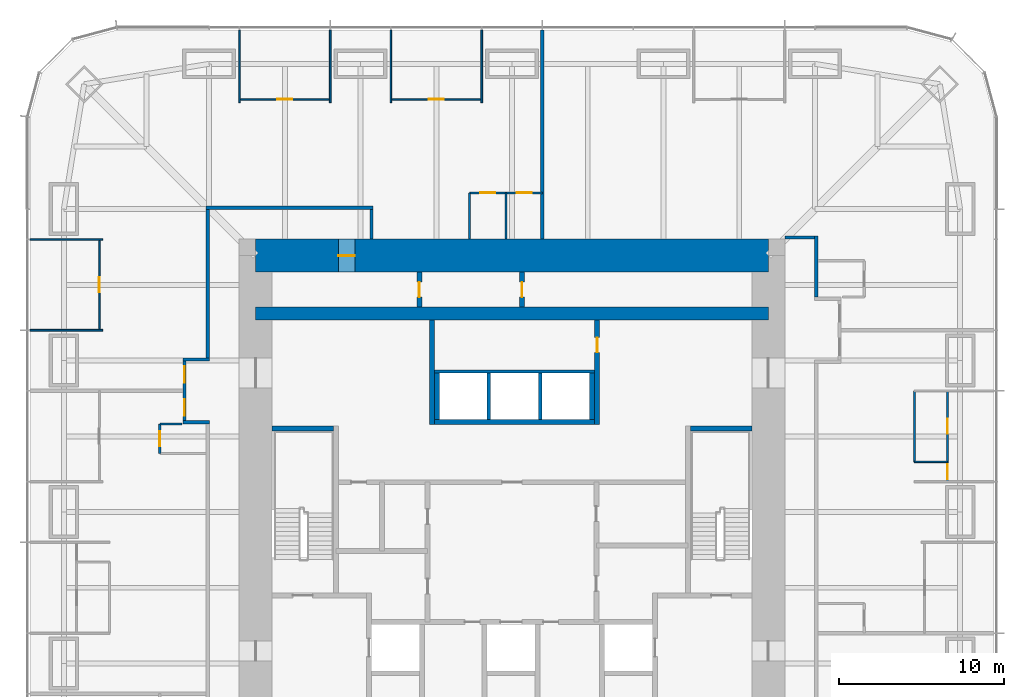
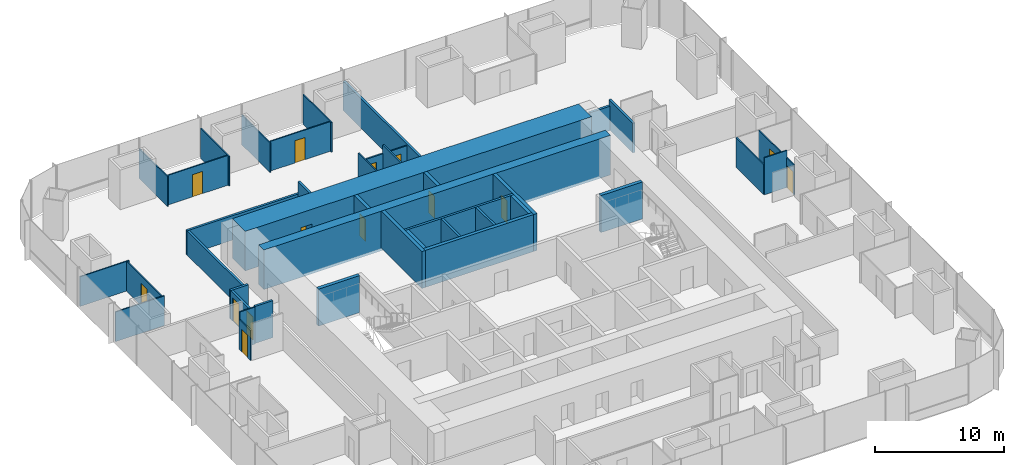
# One storey, part 11 of 13: 40 walls, 14 doors, 14 openings.
"""IFC4 building model written with IfcOpenShell, lengths in metres."""

from ifc_helpers import new_model, si_unit, direction, frame, frame_2d, origin, place, context, subcontext, project, spatial, rectangle, extrude, material, layer, layer_set, type_object, element, fill, save


model = new_model("IFC4")

# Units and contexts
model_context = context("Model", 3, precision=1e-05, world=origin(), true_north=direction((0.0, 1.0)))
body_context = subcontext(model_context, "Body", "Model", "MODEL_VIEW")
ifc_project = project(units=[si_unit("LENGTHUNIT", "METRE"), si_unit("AREAUNIT", "SQUARE_METRE"), si_unit("VOLUMEUNIT", "CUBIC_METRE"), si_unit("PLANEANGLEUNIT", "RADIAN"), si_unit("MASSUNIT", "GRAM", prefix="KILO")], contexts=[model_context])

# Site, building, storey
site_placement = place(None, origin())
site = spatial("IfcSite", under=ifc_project, at=site_placement, CompositionType="ELEMENT")
building_placement = place(site_placement, origin())
building = spatial("IfcBuilding", under=site, at=building_placement, Name="Khuree Lantern Residences", CompositionType="ELEMENT")
storey_placement = place(building_placement, frame((0.0, 0.0, 118.5)))
storey = spatial("IfcBuildingStorey", under=building, at=storey_placement, Name="L29", CompositionType="ELEMENT", Elevation=118.5)

# Wall
ifc_material_1 = material(Name="Moisture-resistant gypsum board on steel studs", Category="steel")
ifc_layer_1 = layer(ifc_material_1, 0.125)
ifc_layer_set_1 = layer_set([ifc_layer_1], Name="BATHROOM WALL BTW125")
wall_type_1 = type_object("IfcWallType", Name="BATHROOM WALL BTW125", PredefinedType="PARTITIONING", material=ifc_layer_set_1)
wall_1_placement = place(storey_placement, frame((24.329833984375, 3.031982421875, 0.0), z_axis=(0.0, 0.0, 1.0), x_axis=(0.0, 1.0, 0.0)))
element("IfcWall", 1, at=wall_1_placement, inside=storey, type_object=wall_type_1, Name="L29 BATHROOM WALL 01", PredefinedType="PARTITIONING", context=body_context, shape_type="SweptSolid", body=[
    extrude(rectangle(XDim=4.2958984375, YDim=0.125, at=frame_2d((2.14794921875, 0.0))), origin(), (0.0, 0.0, 1.0), 2.81005859375),
])

# Wall, openings, doors
wall_2_placement = place(storey_placement, frame((1.83203125, 19.300048828125, 0.0), z_axis=(0.0, 0.0, 1.0), x_axis=(-1.0, 0.0, 0.0)))
wall_2 = element("IfcWall", 2, at=wall_2_placement, inside=storey, type_object=wall_type_1, Name="L29 BATHROOM WALL 03", PredefinedType="PARTITIONING", context=body_context, shape_type="SweptSolid", body=[
    extrude(rectangle(XDim=4.400146484375, YDim=0.125, at=frame_2d((2.2001953125, 0.0))), origin(), (0.0, 0.0, 1.0), 2.699951171875),
])
opening_1_placement = place(wall_2_placement, frame((0.64990234375, 0.0, 0.0)))
opening_1 = element("IfcOpeningElement", 3, at=opening_1_placement, cuts=wall_2, Name="Opening 29-036", PredefinedType="OPENING", context=body_context, shape_type="SweptSolid", body=[
    extrude(rectangle(XDim=0.89990234375, YDim=2.10009765625, at=frame_2d((0.449951171875, 1.050048828125))), frame((0.0, 0.072509765625, 0.0), z_axis=(0.0, -1.0, 0.0), x_axis=(1.0, 0.0, 0.0)), (0.0, 0.0, 1.0), 0.14501953125),
])
opening_2_placement = place(wall_2_placement, frame((2.85009765625, 0.0, 0.0)))
opening_2 = element("IfcOpeningElement", 4, at=opening_2_placement, cuts=wall_2, Name="Opening 29-037", PredefinedType="OPENING", context=body_context, shape_type="SweptSolid", body=[
    extrude(rectangle(XDim=0.89990234375, YDim=2.10009765625, at=frame_2d((0.449951171875, 1.050048828125))), frame((0.0, 0.072509765625, 0.0), z_axis=(0.0, -1.0, 0.0), x_axis=(1.0, 0.0, 0.0)), (0.0, 0.0, 1.0), 0.14501953125),
])
ifc_material_2 = material(Name="Timber door leaf in hardwood frame", Category="wood")
door_type_1 = type_object("IfcDoorType", Name="BATHROOM DOOR 900X2100", OperationType="SINGLE_SWING_LEFT", PredefinedType="DOOR", material=ifc_material_2)
door_1_placement = place(opening_1_placement, origin())
door_1 = element("IfcDoor", 5, at=door_1_placement, inside=storey, type_object=door_type_1, Name="Bathroom door 29-036", OperationType="SINGLE_SWING_LEFT", OverallHeight=2.10009765625, OverallWidth=0.89990234375, PredefinedType="DOOR", context=body_context, shape_type="SweptSolid", body=[
    extrude(rectangle(XDim=0.89990234375, YDim=2.10009765625, at=frame_2d((0.449951171875, 1.050048828125))), frame((0.0, 0.02490234375, 0.0), z_axis=(0.0, -1.0, 0.0), x_axis=(1.0, 0.0, 0.0)), (0.0, 0.0, 1.0), 0.050048828125),
])
fill(opening_1, door_1)
door_2_placement = place(opening_2_placement, origin())
door_2 = element("IfcDoor", 6, at=door_2_placement, inside=storey, type_object=door_type_1, Name="Bathroom door 29-037", OperationType="SINGLE_SWING_LEFT", OverallHeight=2.10009765625, OverallWidth=0.89990234375, PredefinedType="DOOR", context=body_context, shape_type="SweptSolid", body=[
    extrude(rectangle(XDim=0.89990234375, YDim=2.10009765625, at=frame_2d((0.449951171875, 1.050048828125))), frame((0.0, 0.02490234375, 0.0), z_axis=(0.0, -1.0, 0.0), x_axis=(1.0, 0.0, 0.0)), (0.0, 0.0, 1.0), 0.050048828125),
])
fill(opening_2, door_2)

# Walls
for number, where, z_axis, x_axis, name in (
    (7, (-0.367919921875, 16.5, 0.0), (0.0, 0.0, 1.0), (0.0, 1.0, 0.0), "L29 BATHROOM WALL 03"),
    (8, (-2.568115234375, 16.5, 0.0), (0.0, 0.0, 1.0), (0.0, 1.0, 0.0), "L29 BATHROOM WALL 03"),
):
    element("IfcWall", number, at=place(storey_placement, frame(where, z_axis=z_axis, x_axis=x_axis)), inside=storey, type_object=wall_type_1, Name=name, PredefinedType="PARTITIONING", context=body_context, shape_type="SweptSolid", body=[
        extrude(rectangle(XDim=2.800048828125, YDim=0.125, at=frame_2d((1.39990234375, 0.0))), origin(), (0.0, 0.0, 1.0), 3.5),
    ])

# Wall, opening, door
wall_3_placement = place(storey_placement, frame((-21.300048828125, 5.327880859375, 0.0), z_axis=(0.0, 0.0, 1.0), x_axis=(0.0, -1.0, 0.0)))
wall_3 = element("IfcWall", 9, at=wall_3_placement, inside=storey, type_object=wall_type_1, Name="L29 BATHROOM WALL 04", PredefinedType="PARTITIONING", context=body_context, shape_type="SweptSolid", body=[
    extrude(rectangle(XDim=1.7998046875, YDim=0.125, at=frame_2d((0.89990234375, 0.0))), origin(), (0.0, 0.0, 1.0), 2.81005859375),
])
opening_3_placement = place(wall_3_placement, frame((0.449951171875, 0.0, 0.0)))
opening_3 = element("IfcOpeningElement", 10, at=opening_3_placement, cuts=wall_3, Name="Opening 29-042", PredefinedType="OPENING", context=body_context, shape_type="SweptSolid", body=[
    extrude(rectangle(XDim=0.89990234375, YDim=2.10009765625, at=frame_2d((0.449951171875, 1.050048828125))), frame((0.0, 0.072509765625, 0.0), z_axis=(0.0, -1.0, 0.0), x_axis=(1.0, 0.0, 0.0)), (0.0, 0.0, 1.0), 0.14501953125),
])
door_3_placement = place(opening_3_placement, origin())
door_3 = element("IfcDoor", 11, at=door_3_placement, inside=storey, type_object=door_type_1, Name="Bathroom door 29-042", OperationType="SINGLE_SWING_LEFT", OverallHeight=2.10009765625, OverallWidth=0.89990234375, PredefinedType="DOOR", context=body_context, shape_type="SweptSolid", body=[
    extrude(rectangle(XDim=0.89990234375, YDim=2.10009765625, at=frame_2d((0.449951171875, 1.050048828125))), frame((0.0, 0.02490234375, 0.0), z_axis=(0.0, -1.0, 0.0), x_axis=(1.0, 0.0, 0.0)), (0.0, 0.0, 1.0), 0.050048828125),
])
fill(opening_3, door_3)

# Walls
wall_4_placement = place(storey_placement, frame((-19.969970703125, 5.327880859375, 0.0), z_axis=(0.0, 0.0, 1.0), x_axis=(-1.0, 0.0, 0.0)))
element("IfcWall", 12, at=wall_4_placement, inside=storey, type_object=wall_type_1, Name="L29 BATHROOM WALL 04", PredefinedType="PARTITIONING", context=body_context, shape_type="SweptSolid", body=[
    extrude(rectangle(XDim=1.330078125, YDim=0.125, at=frame_2d((0.6650390625, 0.0))), origin(), (0.0, 0.0, 1.0), 3.5),
])
ifc_material_3 = material(Name="Dense concrete blockwork", Category="masonry")
ifc_layer_2 = layer(ifc_material_3, 0.300048828125)
ifc_layer_set_2 = layer_set([ifc_layer_2], Name="CORE PARTITION WALL CPW300 EI 120")
wall_type_2 = type_object("IfcWallType", Name="CORE PARTITION WALL CPW300 EI 120", PredefinedType="PARTITIONING", material=ifc_layer_set_2)
wall_5_placement = place(storey_placement, frame((-4.699951171875, 5.449951171875, 0.0), z_axis=(0.0, 0.0, 1.0), x_axis=(1.0, 0.0, 0.0)))
element("IfcWall", 13, at=wall_5_placement, inside=storey, type_object=wall_type_2, Name="L29 CORE WALL PHS", PredefinedType="PARTITIONING", context=body_context, shape_type="SweptSolid", body=[
    extrude(rectangle(XDim=9.699951171875, YDim=0.300048828125, at=frame_2d((4.85009765625, 0.0))), origin(), (0.0, 0.0, 1.0), 3.5),
])
for number, where, z_axis, x_axis, name in (
    (14, (-4.550048828125, 5.60009765625, 0.0), (0.0, 0.0, 1.0), (0.0, 1.0, 0.0), "L29 CORE WALL PHW"),
    (15, (4.85009765625, 5.60009765625, 0.0), (0.0, 0.0, 1.0), (0.0, 1.0, 0.0), "L29 CORE WALL PHE"),
):
    element("IfcWall", number, at=place(storey_placement, frame(where, z_axis=z_axis, x_axis=x_axis)), inside=storey, type_object=wall_type_2, Name=name, PredefinedType="PARTITIONING", context=body_context, shape_type="SweptSolid", body=[
        extrude(rectangle(XDim=2.7998046875, YDim=0.300048828125, at=frame_2d((1.39990234375, 0.0))), origin(), (0.0, 0.0, 1.0), 3.5),
    ])
wall_6_placement = place(storey_placement, frame((-4.85009765625, 5.300048828125, 0.0), z_axis=(0.0, 0.0, 1.0), x_axis=(0.0, 1.0, 0.0)))
element("IfcWall", 16, at=wall_6_placement, inside=storey, type_object=wall_type_2, Name="L29 CORE WALL NW", PredefinedType="PARTITIONING", context=body_context, shape_type="SweptSolid", body=[
    extrude(rectangle(XDim=6.300048828125, YDim=0.300048828125, at=frame_2d((3.14990234375, 0.0))), origin(), (0.0, 0.0, 1.0), 3.5),
])

# Wall, opening, door
wall_7_placement = place(storey_placement, frame((5.14990234375, 5.300048828125, 0.0), z_axis=(0.0, 0.0, 1.0), x_axis=(0.0, 1.0, 0.0)))
wall_7 = element("IfcWall", 17, at=wall_7_placement, inside=storey, type_object=wall_type_2, Name="L29 CORE WALL NE", PredefinedType="PARTITIONING", context=body_context, shape_type="SweptSolid", body=[
    extrude(rectangle(XDim=6.300048828125, YDim=0.300048828125, at=frame_2d((3.14990234375, 0.0))), origin(), (0.0, 0.0, 1.0), 3.5),
])
opening_4_placement = place(wall_7_placement, frame((4.35009765625, 0.0, 0.0)))
opening_4 = element("IfcOpeningElement", 18, at=opening_4_placement, cuts=wall_7, Name="Opening 29-021", PredefinedType="OPENING", context=body_context, shape_type="SweptSolid", body=[
    extrude(rectangle(XDim=0.89990234375, YDim=2.10009765625, at=frame_2d((0.449951171875, 1.050048828125))), frame((0.0, 0.16015625, 0.0), z_axis=(0.0, -1.0, 0.0), x_axis=(1.0, 0.0, 0.0)), (0.0, 0.0, 1.0), 0.320068359375),
])
door_type_2 = type_object("IfcDoorType", Name="DOOR 900X2100", OperationType="SINGLE_SWING_LEFT", PredefinedType="DOOR", material=ifc_material_2)
door_4_placement = place(opening_4_placement, origin())
door_4 = element("IfcDoor", 19, at=door_4_placement, inside=storey, type_object=door_type_2, Name="Residents' store door 29-021", OperationType="SINGLE_SWING_LEFT", OverallHeight=2.10009765625, OverallWidth=0.89990234375, PredefinedType="DOOR", context=body_context, shape_type="SweptSolid", body=[
    extrude(rectangle(XDim=0.89990234375, YDim=2.10009765625, at=frame_2d((0.449951171875, 1.050048828125))), frame((0.0, 0.02490234375, 0.0), z_axis=(0.0, -1.0, 0.0), x_axis=(1.0, 0.0, 0.0)), (0.0, 0.0, 1.0), 0.050048828125),
])
fill(opening_4, door_4)

wall_8_placement = place(storey_placement, frame((-5.60009765625, 12.39990234375, 0.0), z_axis=(0.0, 0.0, 1.0), x_axis=(0.0, 1.0, 0.0)))
wall_8 = element("IfcWall", 20, at=wall_8_placement, inside=storey, type_object=wall_type_2, Name="L29 CORE WALL PLX", PredefinedType="PARTITIONING", context=body_context, shape_type="SweptSolid", body=[
    extrude(rectangle(XDim=2.10009765625, YDim=0.300048828125, at=frame_2d((1.050048828125, 0.0))), origin(), (0.0, 0.0, 1.0), 3.5),
])
opening_5_placement = place(wall_8_placement, frame((0.60009765625, 0.0, 0.0)))
opening_5 = element("IfcOpeningElement", 21, at=opening_5_placement, cuts=wall_8, Name="Opening 29-022", PredefinedType="OPENING", context=body_context, shape_type="SweptSolid", body=[
    extrude(rectangle(XDim=0.89990234375, YDim=2.10009765625, at=frame_2d((0.449951171875, 1.050048828125))), frame((0.0, 0.16015625, 0.0), z_axis=(0.0, -1.0, 0.0), x_axis=(1.0, 0.0, 0.0)), (0.0, 0.0, 1.0), 0.320068359375),
])
door_5_placement = place(opening_5_placement, origin())
door_5 = element("IfcDoor", 22, at=door_5_placement, inside=storey, type_object=door_type_2, Name="Maintenance store door 29-022", OperationType="SINGLE_SWING_LEFT", OverallHeight=2.10009765625, OverallWidth=0.89990234375, PredefinedType="DOOR", context=body_context, shape_type="SweptSolid", body=[
    extrude(rectangle(XDim=0.89990234375, YDim=2.10009765625, at=frame_2d((0.449951171875, 1.050048828125))), frame((0.0, 0.02490234375, 0.0), z_axis=(0.0, -1.0, 0.0), x_axis=(1.0, 0.0, 0.0)), (0.0, 0.0, 1.0), 0.050048828125),
])
fill(opening_5, door_5)

wall_9_placement = place(storey_placement, frame((0.60009765625, 12.39990234375, 0.0), z_axis=(0.0, 0.0, 1.0), x_axis=(0.0, 1.0, 0.0)))
wall_9 = element("IfcWall", 23, at=wall_9_placement, inside=storey, type_object=wall_type_2, Name="L29 CORE WALL PLY", PredefinedType="PARTITIONING", context=body_context, shape_type="SweptSolid", body=[
    extrude(rectangle(XDim=2.10009765625, YDim=0.300048828125, at=frame_2d((1.050048828125, 0.0))), origin(), (0.0, 0.0, 1.0), 3.5),
])
opening_6_placement = place(wall_9_placement, frame((0.60009765625, 0.0, 0.0)))
opening_6 = element("IfcOpeningElement", 24, at=opening_6_placement, cuts=wall_9, Name="Opening 29-023", PredefinedType="OPENING", context=body_context, shape_type="SweptSolid", body=[
    extrude(rectangle(XDim=0.89990234375, YDim=2.10009765625, at=frame_2d((0.449951171875, 1.050048828125))), frame((0.0, 0.16015625, 0.0), z_axis=(0.0, -1.0, 0.0), x_axis=(1.0, 0.0, 0.0)), (0.0, 0.0, 1.0), 0.320068359375),
])
door_6_placement = place(opening_6_placement, origin())
door_6 = element("IfcDoor", 25, at=door_6_placement, inside=storey, type_object=door_type_2, Name="Cleaner's store door 29-023", OperationType="SINGLE_SWING_LEFT", OverallHeight=2.10009765625, OverallWidth=0.89990234375, PredefinedType="DOOR", context=body_context, shape_type="SweptSolid", body=[
    extrude(rectangle(XDim=0.89990234375, YDim=2.10009765625, at=frame_2d((0.449951171875, 1.050048828125))), frame((0.0, 0.02490234375, 0.0), z_axis=(0.0, -1.0, 0.0), x_axis=(1.0, 0.0, 0.0)), (0.0, 0.0, 1.0), 0.050048828125),
])
fill(opening_6, door_6)

# Walls
ifc_material_4 = material(Name="Gypsum board on steel studs", Category="steel")
ifc_layer_3 = layer(ifc_material_4, 0.199951171875)
ifc_layer_set_3 = layer_set([ifc_layer_3], Name="CORRIDOR WALL CRW200 EI 60")
wall_type_3 = type_object("IfcWallType", Name="CORRIDOR WALL CRW200 EI 60", PredefinedType="PARTITIONING", material=ifc_layer_set_3)
wall_10_placement = place(storey_placement, frame((16.5, 16.60009765625, 0.0), z_axis=(0.0, 0.0, 1.0), x_axis=(1.0, 0.0, 0.0)))
element("IfcWall", 26, at=wall_10_placement, inside=storey, type_object=wall_type_3, Name="L29 EAST CORRIDOR NORTH END WALL", PredefinedType="PARTITIONING", context=body_context, shape_type="SweptSolid", body=[
    extrude(rectangle(XDim=1.800048828125, YDim=0.199951171875, at=frame_2d((0.89990234375, 0.0))), origin(), (0.0, 0.0, 1.0), 2.300048828125),
])
wall_11_placement = place(storey_placement, frame((-18.5, 18.39990234375, 0.0), z_axis=(0.0, 0.0, 1.0), x_axis=(1.0, 0.0, 0.0)))
element("IfcWall", 27, at=wall_11_placement, inside=storey, type_object=wall_type_3, Name="L29 CORRIDOR WALL NORTH", PredefinedType="PARTITIONING", context=body_context, shape_type="SweptSolid", body=[
    extrude(rectangle(XDim=10.10009765625, YDim=0.199951171875, at=frame_2d((5.050048828125, 0.0))), origin(), (0.0, 0.0, 1.0), 2.300048828125),
])
wall_12_placement = place(storey_placement, frame((-8.5, 18.300048828125, 0.0), z_axis=(0.0, 0.0, 1.0), x_axis=(0.0, -1.0, 0.0)))
element("IfcWall", 28, at=wall_12_placement, inside=storey, type_object=wall_type_3, Name="L29 NORTH CORRIDOR END WALL", PredefinedType="PARTITIONING", context=body_context, shape_type="SweptSolid", body=[
    extrude(rectangle(XDim=1.800048828125, YDim=0.199951171875, at=frame_2d((0.89990234375, 0.0))), origin(), (0.0, 0.0, 1.0), 3.5),
])
wall_13_placement = place(storey_placement, frame((18.39990234375, 12.991943359375, 0.0), z_axis=(0.0, 0.0, 1.0), x_axis=(0.0, 1.0, 0.0)))
element("IfcWall", 29, at=wall_13_placement, inside=storey, type_object=wall_type_3, Name="L29 CORRIDOR WALL EAST 2", PredefinedType="PARTITIONING", context=body_context, shape_type="SweptSolid", body=[
    extrude(rectangle(XDim=3.7080078125, YDim=0.199951171875, at=frame_2d((1.85400390625, 0.0))), origin(), (0.0, 0.0, 1.0), 2.81005859375),
])
wall_14_placement = place(storey_placement, frame((-18.39990234375, 18.300048828125, 0.0), z_axis=(0.0, 0.0, 1.0), x_axis=(0.0, -1.0, 0.0)))
element("IfcWall", 30, at=wall_14_placement, inside=storey, type_object=wall_type_3, Name="L29 CORRIDOR WALL WEST 1", PredefinedType="PARTITIONING", context=body_context, shape_type="SweptSolid", body=[
    extrude(rectangle(XDim=8.97216796875, YDim=0.199951171875, at=frame_2d((4.486083984375, 0.0))), origin(), (0.0, 0.0, 1.0), 2.300048828125),
])
wall_15_placement = place(storey_placement, frame((-18.300048828125, 9.22802734375, 0.0), z_axis=(0.0, 0.0, 1.0), x_axis=(-1.0, 0.0, 0.0)))
element("IfcWall", 31, at=wall_15_placement, inside=storey, type_object=wall_type_3, Name="L29 CORRIDOR ALCOVE WALL WEST", PredefinedType="PARTITIONING", context=body_context, shape_type="SweptSolid", body=[
    extrude(rectangle(XDim=1.599853515625, YDim=0.199951171875, at=frame_2d((0.7998046875, 0.0))), origin(), (0.0, 0.0, 1.0), 2.699951171875),
])
wall_16_placement = place(storey_placement, frame((-18.300048828125, 5.427978515625, 0.0), z_axis=(0.0, 0.0, 1.0), x_axis=(-1.0, 0.0, 0.0)))
element("IfcWall", 32, at=wall_16_placement, inside=storey, type_object=wall_type_3, Name="L29 CORRIDOR ALCOVE WALL WEST", PredefinedType="PARTITIONING", context=body_context, shape_type="SweptSolid", body=[
    extrude(rectangle(XDim=1.599853515625, YDim=0.199951171875, at=frame_2d((0.7998046875, 0.0))), origin(), (0.0, 0.0, 1.0), 3.5),
])

# Wall, openings, doors
wall_17_placement = place(storey_placement, frame((-19.800048828125, 9.1279296875, 0.0), z_axis=(0.0, 0.0, 1.0), x_axis=(0.0, -1.0, 0.0)))
wall_17 = element("IfcWall", 33, at=wall_17_placement, inside=storey, type_object=wall_type_3, Name="L29 CORRIDOR ALCOVE WALL WEST", PredefinedType="PARTITIONING", context=body_context, shape_type="SweptSolid", body=[
    extrude(rectangle(XDim=3.599853515625, YDim=0.199951171875, at=frame_2d((1.7998046875, 0.0))), origin(), (0.0, 0.0, 1.0), 2.699951171875),
])
opening_7_placement = place(wall_17_placement, frame((0.300048828125, 0.0, 0.0)))
opening_7 = element("IfcOpeningElement", 34, at=opening_7_placement, cuts=wall_17, Name="Opening 29-038", PredefinedType="OPENING", context=body_context, shape_type="SweptSolid", body=[
    extrude(rectangle(XDim=1.0, YDim=2.199951171875, at=frame_2d((0.5, 1.10009765625))), frame((0.0, 0.10986328125, 0.0), z_axis=(0.0, -1.0, 0.0), x_axis=(1.0, 0.0, 0.0)), (0.0, 0.0, 1.0), 0.219970703125),
])
opening_8_placement = place(wall_17_placement, frame((2.300048828125, 0.0, 0.0)))
opening_8 = element("IfcOpeningElement", 35, at=opening_8_placement, cuts=wall_17, Name="Opening 29-043", PredefinedType="OPENING", context=body_context, shape_type="SweptSolid", body=[
    extrude(rectangle(XDim=1.0, YDim=2.199951171875, at=frame_2d((0.5, 1.10009765625))), frame((0.0, 0.10986328125, 0.0), z_axis=(0.0, -1.0, 0.0), x_axis=(1.0, 0.0, 0.0)), (0.0, 0.0, 1.0), 0.219970703125),
])
door_type_3 = type_object("IfcDoorType", Name="APARTMENT ENTRANCE DOOR 1000X2200 EI 30S", OperationType="SINGLE_SWING_LEFT", PredefinedType="DOOR", material=ifc_material_2)
door_7_placement = place(opening_7_placement, origin())
door_7 = element("IfcDoor", 36, at=door_7_placement, inside=storey, type_object=door_type_3, Name="Apartment 03 entrance door 29-038", OperationType="SINGLE_SWING_LEFT", OverallHeight=2.199951171875, OverallWidth=1.0, PredefinedType="DOOR", context=body_context, shape_type="SweptSolid", body=[
    extrude(rectangle(XDim=1.0, YDim=2.199951171875, at=frame_2d((0.5, 1.10009765625))), frame((0.0, 0.02490234375, 0.0), z_axis=(0.0, -1.0, 0.0), x_axis=(1.0, 0.0, 0.0)), (0.0, 0.0, 1.0), 0.050048828125),
])
fill(opening_7, door_7)
door_type_4 = type_object("IfcDoorType", Name="APARTMENT ENTRANCE DOOR 1000X2200 EI 30S RIGHT HAND", OperationType="SINGLE_SWING_RIGHT", PredefinedType="DOOR", material=ifc_material_2)
door_8_placement = place(opening_8_placement, origin())
door_8 = element("IfcDoor", 37, at=door_8_placement, inside=storey, type_object=door_type_4, Name="Apartment 04 entrance door 29-043", OperationType="SINGLE_SWING_RIGHT", OverallHeight=2.199951171875, OverallWidth=1.0, PredefinedType="DOOR", context=body_context, shape_type="SweptSolid", body=[
    extrude(rectangle(XDim=1.0, YDim=2.199951171875, at=frame_2d((0.5, 1.10009765625))), frame((0.0, 0.02490234375, 0.0), z_axis=(0.0, -1.0, 0.0), x_axis=(1.0, 0.0, 0.0)), (0.0, 0.0, 1.0), 0.050048828125),
])
fill(opening_8, door_8)

# Wall, opening, door
ifc_material_5 = material(Name="Concrete C70/85", Category="concrete")
ifc_layer_4 = layer(ifc_material_5, 2.0)
ifc_layer_set_4 = layer_set([ifc_layer_4], Name="CW2000-C70 CORE WALL C70 2000")
wall_type_4 = type_object("IfcWallType", Name="CW2000-C70 CORE WALL C70 2000", PredefinedType="SHEAR", material=ifc_layer_set_4)
wall_18_placement = place(storey_placement, frame((-15.5, 15.5, -0.25), z_axis=(0.0, 0.0, 1.0), x_axis=(1.0, 0.0, 0.0)))
wall_18 = element("IfcWall", 38, at=wall_18_placement, inside=storey, type_object=wall_type_4, Name="Core wall N", PredefinedType="SHEAR", context=body_context, shape_type="SweptSolid", body=[
    extrude(rectangle(XDim=31.0, YDim=2.0, at=frame_2d((15.5, 0.0))), origin(), (0.0, 0.0, 1.0), 3.75),
])
opening_9_placement = place(wall_18_placement, frame((5.0, 0.0, 0.25)))
opening_9 = element("IfcOpeningElement", 39, at=opening_9_placement, cuts=wall_18, Name="Opening 29-024", PredefinedType="OPENING", context=body_context, shape_type="SweptSolid", body=[
    extrude(rectangle(XDim=1.0, YDim=2.10009765625, at=frame_2d((0.5, 1.050048828125))), frame((0.0, 1.010009765625, 0.0), z_axis=(0.0, -1.0, 0.0), x_axis=(1.0, 0.0, 0.0)), (0.0, 0.0, 1.0), 2.02001953125),
])
ifc_material_6 = material(Name="Steel door leaf in steel frame", Category="steel")
door_type_5 = type_object("IfcDoorType", Name="DOOR 1000X2100 EI 60 RIGHT HAND", OperationType="SINGLE_SWING_RIGHT", PredefinedType="DOOR", material=ifc_material_6)
door_9_placement = place(opening_9_placement, origin())
door_9 = element("IfcDoor", 40, at=door_9_placement, inside=storey, type_object=door_type_5, Name="Residents' store door 29-024", OperationType="SINGLE_SWING_RIGHT", OverallHeight=2.10009765625, OverallWidth=1.0, PredefinedType="DOOR", context=body_context, shape_type="SweptSolid", body=[
    extrude(rectangle(XDim=1.0, YDim=2.10009765625, at=frame_2d((0.5, 1.050048828125))), frame((0.0, 0.02490234375, 0.0), z_axis=(0.0, -1.0, 0.0), x_axis=(1.0, 0.0, 0.0)), (0.0, 0.0, 1.0), 0.050048828125),
])
fill(opening_9, door_9)

# Walls
ifc_layer_5 = layer(ifc_material_4, 0.199951171875)
ifc_layer_set_5 = layer_set([ifc_layer_5], Name="DEMISING WALL DMW200 EI 90")
wall_type_5 = type_object("IfcWallType", Name="DEMISING WALL DMW200 EI 90", PredefinedType="PARTITIONING", material=ifc_layer_set_5)
wall_19_placement = place(storey_placement, frame((1.83203125, 16.5, 0.0), z_axis=(0.0, 0.0, 1.0), x_axis=(0.0, 1.0, 0.0)))
element("IfcWall", 41, at=wall_19_placement, inside=storey, type_object=wall_type_5, Name="L29 DEMISING WALL 03", PredefinedType="PARTITIONING", context=body_context, shape_type="SweptSolid", body=[
    extrude(rectangle(XDim=12.64990234375, YDim=0.199951171875, at=frame_2d((6.324951171875, 0.0))), origin(), (0.0, 0.0, 1.0), 2.81005859375),
])
ifc_layer_6 = layer(ifc_material_4, 0.10009765625)
ifc_layer_set_6 = layer_set([ifc_layer_6], Name="PARTITION PT100")
wall_type_6 = type_object("IfcWallType", Name="PARTITION PT100", PredefinedType="PARTITIONING", material=ifc_layer_set_6)
for number, where, z_axis, x_axis, name in (
    (42, (-1.83203125, 24.75, 0.0), (0.0, 0.0, 1.0), (0.0, 1.0, 0.0), "L29 PARTITION 03"),
    (43, (-7.327880859375, 24.75, 0.0), (0.0, 0.0, 1.0), (0.0, 1.0, 0.0), "L29 PARTITION 03"),
    (44, (-10.991943359375, 24.75, 0.0), (0.0, 0.0, 1.0), (0.0, 1.0, 0.0), "L29 PARTITION 03"),
    (45, (-16.488037109375, 24.75, 0.0), (0.0, 0.0, 1.0), (0.0, 1.0, 0.0), "L29 PARTITION 03"),
    (46, (-24.75, 16.488037109375, 0.0), (0.0, 0.0, 1.0), (-1.0, 0.0, 0.0), "L29 PARTITION 03"),
    (47, (-24.75, 10.991943359375, 0.0), (0.0, 0.0, 1.0), (-1.0, 0.0, 0.0), "L29 PARTITION 03"),
):
    element("IfcWall", number, at=place(storey_placement, frame(where, z_axis=z_axis, x_axis=x_axis)), inside=storey, type_object=wall_type_6, Name=name, PredefinedType="PARTITIONING", context=body_context, shape_type="SweptSolid", body=[
        extrude(rectangle(XDim=4.39990234375, YDim=0.10009765625, at=frame_2d((2.199951171875, 0.0))), origin(), (0.0, 0.0, 1.0), 2.81005859375),
    ])

# Wall, openings, doors
wall_20_placement = place(storey_placement, frame((26.329833984375, 1.83203125, 0.0), z_axis=(0.0, 0.0, 1.0), x_axis=(0.0, 1.0, 0.0)))
wall_20 = element("IfcWall", 48, at=wall_20_placement, inside=storey, type_object=wall_type_6, Name="L29 PARTITION 01", PredefinedType="PARTITIONING", context=body_context, shape_type="SweptSolid", body=[
    extrude(rectangle(XDim=5.495849609375, YDim=0.10009765625, at=frame_2d((2.748046875, 0.0))), origin(), (0.0, 0.0, 1.0), 2.81005859375),
])
opening_10_placement = place(wall_20_placement, frame((0.14990234375, 0.0, 0.0)))
opening_10 = element("IfcOpeningElement", 49, at=opening_10_placement, cuts=wall_20, Name="Opening 29-026", PredefinedType="OPENING", context=body_context, shape_type="SweptSolid", body=[
    extrude(rectangle(XDim=0.89990234375, YDim=2.10009765625, at=frame_2d((0.449951171875, 1.050048828125))), frame((0.0, 0.06005859375, 0.0), z_axis=(0.0, -1.0, 0.0), x_axis=(1.0, 0.0, 0.0)), (0.0, 0.0, 1.0), 0.1201171875),
])
opening_11_placement = place(wall_20_placement, frame((2.89794921875, 0.0, 0.0)))
opening_11 = element("IfcOpeningElement", 50, at=opening_11_placement, cuts=wall_20, Name="Opening 29-027", PredefinedType="OPENING", context=body_context, shape_type="SweptSolid", body=[
    extrude(rectangle(XDim=0.89990234375, YDim=2.10009765625, at=frame_2d((0.449951171875, 1.050048828125))), frame((0.0, 0.06005859375, 0.0), z_axis=(0.0, -1.0, 0.0), x_axis=(1.0, 0.0, 0.0)), (0.0, 0.0, 1.0), 0.1201171875),
])
door_10_placement = place(opening_11_placement, origin())
door_10 = element("IfcDoor", 51, at=door_10_placement, inside=storey, type_object=door_type_1, Name="Bathroom door 29-027", OperationType="SINGLE_SWING_LEFT", OverallHeight=2.10009765625, OverallWidth=0.89990234375, PredefinedType="DOOR", context=body_context, shape_type="SweptSolid", body=[
    extrude(rectangle(XDim=0.89990234375, YDim=2.10009765625, at=frame_2d((0.449951171875, 1.050048828125))), frame((0.0, 0.02490234375, 0.0), z_axis=(0.0, -1.0, 0.0), x_axis=(1.0, 0.0, 0.0)), (0.0, 0.0, 1.0), 0.050048828125),
])
fill(opening_11, door_10)
door_type_6 = type_object("IfcDoorType", Name="BEDROOM DOOR 900X2100", OperationType="SINGLE_SWING_LEFT", PredefinedType="DOOR", material=ifc_material_2)
door_11_placement = place(opening_10_placement, origin())
door_11 = element("IfcDoor", 52, at=door_11_placement, inside=storey, type_object=door_type_6, Name="Bedroom door 29-026", OperationType="SINGLE_SWING_LEFT", OverallHeight=2.10009765625, OverallWidth=0.89990234375, PredefinedType="DOOR", context=body_context, shape_type="SweptSolid", body=[
    extrude(rectangle(XDim=0.89990234375, YDim=2.10009765625, at=frame_2d((0.449951171875, 1.050048828125))), frame((0.0, 0.02490234375, 0.0), z_axis=(0.0, -1.0, 0.0), x_axis=(1.0, 0.0, 0.0)), (0.0, 0.0, 1.0), 0.050048828125),
])
fill(opening_10, door_11)

# Wall
wall_21_placement = place(storey_placement, frame((24.329833984375, 3.031982421875, 0.0), z_axis=(0.0, 0.0, 1.0), x_axis=(1.0, 0.0, 0.0)))
element("IfcWall", 53, at=wall_21_placement, inside=storey, type_object=wall_type_6, Name="L29 PARTITION 01", PredefinedType="PARTITIONING", context=body_context, shape_type="SweptSolid", body=[
    extrude(rectangle(XDim=2.0, YDim=0.10009765625, at=frame_2d((1.0, 0.0))), origin(), (0.0, 0.0, 1.0), 3.5),
])

# Wall, opening, door
wall_22_placement = place(storey_placement, frame((-1.83203125, 24.949951171875, 0.0), z_axis=(0.0, 0.0, 1.0), x_axis=(-1.0, 0.0, 0.0)))
wall_22 = element("IfcWall", 54, at=wall_22_placement, inside=storey, type_object=wall_type_6, Name="L29 PARTITION 03", PredefinedType="PARTITIONING", context=body_context, shape_type="SweptSolid", body=[
    extrude(rectangle(XDim=5.495849609375, YDim=0.10009765625, at=frame_2d((2.748046875, 0.0))), origin(), (0.0, 0.0, 1.0), 2.81005859375),
])
opening_12_placement = place(wall_22_placement, frame((2.298095703125, 0.0, 0.0)))
opening_12 = element("IfcOpeningElement", 55, at=opening_12_placement, cuts=wall_22, Name="Opening 29-033", PredefinedType="OPENING", context=body_context, shape_type="SweptSolid", body=[
    extrude(rectangle(XDim=0.89990234375, YDim=2.10009765625, at=frame_2d((0.449951171875, 1.050048828125))), frame((0.0, 0.06005859375, 0.0), z_axis=(0.0, -1.0, 0.0), x_axis=(1.0, 0.0, 0.0)), (0.0, 0.0, 1.0), 0.1201171875),
])
door_12_placement = place(opening_12_placement, origin())
door_12 = element("IfcDoor", 56, at=door_12_placement, inside=storey, type_object=door_type_6, Name="Bedroom door 29-033", OperationType="SINGLE_SWING_LEFT", OverallHeight=2.10009765625, OverallWidth=0.89990234375, PredefinedType="DOOR", context=body_context, shape_type="SweptSolid", body=[
    extrude(rectangle(XDim=0.89990234375, YDim=2.10009765625, at=frame_2d((0.449951171875, 1.050048828125))), frame((0.0, 0.02490234375, 0.0), z_axis=(0.0, -1.0, 0.0), x_axis=(1.0, 0.0, 0.0)), (0.0, 0.0, 1.0), 0.050048828125),
])
fill(opening_12, door_12)

wall_23_placement = place(storey_placement, frame((-10.991943359375, 24.949951171875, 0.0), z_axis=(0.0, 0.0, 1.0), x_axis=(-1.0, 0.0, 0.0)))
wall_23 = element("IfcWall", 57, at=wall_23_placement, inside=storey, type_object=wall_type_6, Name="L29 PARTITION 03", PredefinedType="PARTITIONING", context=body_context, shape_type="SweptSolid", body=[
    extrude(rectangle(XDim=5.49609375, YDim=0.10009765625, at=frame_2d((2.748046875, 0.0))), origin(), (0.0, 0.0, 1.0), 2.81005859375),
])
opening_13_placement = place(wall_23_placement, frame((2.298095703125, 0.0, 0.0)))
opening_13 = element("IfcOpeningElement", 58, at=opening_13_placement, cuts=wall_23, Name="Opening 29-034", PredefinedType="OPENING", context=body_context, shape_type="SweptSolid", body=[
    extrude(rectangle(XDim=0.89990234375, YDim=2.10009765625, at=frame_2d((0.449951171875, 1.050048828125))), frame((0.0, 0.06005859375, 0.0), z_axis=(0.0, -1.0, 0.0), x_axis=(1.0, 0.0, 0.0)), (0.0, 0.0, 1.0), 0.1201171875),
])
door_13_placement = place(opening_13_placement, origin())
door_13 = element("IfcDoor", 59, at=door_13_placement, inside=storey, type_object=door_type_6, Name="Bedroom door 29-034", OperationType="SINGLE_SWING_LEFT", OverallHeight=2.10009765625, OverallWidth=0.89990234375, PredefinedType="DOOR", context=body_context, shape_type="SweptSolid", body=[
    extrude(rectangle(XDim=0.89990234375, YDim=2.10009765625, at=frame_2d((0.449951171875, 1.050048828125))), frame((0.0, 0.02490234375, 0.0), z_axis=(0.0, -1.0, 0.0), x_axis=(1.0, 0.0, 0.0)), (0.0, 0.0, 1.0), 0.050048828125),
])
fill(opening_13, door_13)

wall_24_placement = place(storey_placement, frame((-24.949951171875, 16.488037109375, 0.0), z_axis=(0.0, 0.0, 1.0), x_axis=(0.0, -1.0, 0.0)))
wall_24 = element("IfcWall", 60, at=wall_24_placement, inside=storey, type_object=wall_type_6, Name="L29 PARTITION 03", PredefinedType="PARTITIONING", context=body_context, shape_type="SweptSolid", body=[
    extrude(rectangle(XDim=5.49609375, YDim=0.10009765625, at=frame_2d((2.748046875, 0.0))), origin(), (0.0, 0.0, 1.0), 2.81005859375),
])
opening_14_placement = place(wall_24_placement, frame((2.298095703125, 0.0, 0.0)))
opening_14 = element("IfcOpeningElement", 61, at=opening_14_placement, cuts=wall_24, Name="Opening 29-035", PredefinedType="OPENING", context=body_context, shape_type="SweptSolid", body=[
    extrude(rectangle(XDim=0.89990234375, YDim=2.10009765625, at=frame_2d((0.449951171875, 1.050048828125))), frame((0.0, 0.06005859375, 0.0), z_axis=(0.0, -1.0, 0.0), x_axis=(1.0, 0.0, 0.0)), (0.0, 0.0, 1.0), 0.1201171875),
])
door_14_placement = place(opening_14_placement, origin())
door_14 = element("IfcDoor", 62, at=door_14_placement, inside=storey, type_object=door_type_6, Name="Bedroom door 29-035", OperationType="SINGLE_SWING_LEFT", OverallHeight=2.10009765625, OverallWidth=0.89990234375, PredefinedType="DOOR", context=body_context, shape_type="SweptSolid", body=[
    extrude(rectangle(XDim=0.89990234375, YDim=2.10009765625, at=frame_2d((0.449951171875, 1.050048828125))), frame((0.0, 0.02490234375, 0.0), z_axis=(0.0, -1.0, 0.0), x_axis=(1.0, 0.0, 0.0)), (0.0, 0.0, 1.0), 0.050048828125),
])
fill(opening_14, door_14)

# Walls
ifc_layer_7 = layer(ifc_material_3, 0.199951171875)
ifc_layer_set_7 = layer_set([ifc_layer_7], Name="SHAFT WALL SHW200 EI 120")
wall_type_7 = type_object("IfcWallType", Name="SHAFT WALL SHW200 EI 120", PredefinedType="PARTITIONING", material=ifc_layer_set_7)
wall_25_placement = place(storey_placement, frame((-4.699951171875, 8.5, 0.0), z_axis=(0.0, 0.0, 1.0), x_axis=(1.0, 0.0, 0.0)))
element("IfcWall", 63, at=wall_25_placement, inside=storey, type_object=wall_type_7, Name="L29 CORE WALL PHN", PredefinedType="PARTITIONING", context=body_context, shape_type="SweptSolid", body=[
    extrude(rectangle(XDim=9.699951171875, YDim=0.199951171875, at=frame_2d((4.85009765625, 0.0))), origin(), (0.0, 0.0, 1.0), 3.5),
])
for number, where, z_axis, x_axis, name in (
    (64, (-1.39990234375, 5.60009765625, 0.0), (0.0, 0.0, 1.0), (0.0, 1.0, 0.0), "L29 CORE WALL PHD1"),
    (65, (1.699951171875, 5.60009765625, 0.0), (0.0, 0.0, 1.0), (0.0, 1.0, 0.0), "L29 CORE WALL PHD2"),
):
    element("IfcWall", number, at=place(storey_placement, frame(where, z_axis=z_axis, x_axis=x_axis)), inside=storey, type_object=wall_type_7, Name=name, PredefinedType="PARTITIONING", context=body_context, shape_type="SweptSolid", body=[
        extrude(rectangle(XDim=2.7998046875, YDim=0.199951171875, at=frame_2d((1.39990234375, 0.0))), origin(), (0.0, 0.0, 1.0), 3.5),
    ])
ifc_layer_8 = layer(ifc_material_5, 0.800048828125)
ifc_layer_set_8 = layer_set([ifc_layer_8], Name="SP800-C70 CORE SPINE WALL C70 800")
wall_type_8 = type_object("IfcWallType", Name="SP800-C70 CORE SPINE WALL C70 800", PredefinedType="SHEAR", material=ifc_layer_set_8)
wall_26_placement = place(storey_placement, frame((-15.5, 12.0, -0.25), z_axis=(0.0, 0.0, 1.0), x_axis=(1.0, 0.0, 0.0)))
element("IfcWall", 66, at=wall_26_placement, inside=storey, type_object=wall_type_8, Name="Core wall SPN", PredefinedType="SHEAR", context=body_context, shape_type="SweptSolid", body=[
    extrude(rectangle(XDim=31.0, YDim=0.800048828125, at=frame_2d((15.5, 0.0))), origin(), (0.0, 0.0, 1.0), 3.75),
])
ifc_material_7 = material(Name="Concrete C50/60", Category="concrete")
ifc_layer_9 = layer(ifc_material_7, 0.300048828125)
ifc_layer_set_9 = layer_set([ifc_layer_9], Name="STAIR WALL SRW300 C50/60 REI 240")
wall_type_9 = type_object("IfcWallType", Name="STAIR WALL SRW300 C50/60 REI 240", PredefinedType="SOLIDWALL", material=ifc_layer_set_9)
for number, where, z_axis, x_axis, name in (
    (67, (-14.5, 5.050048828125, 0.0), (0.0, 0.0, 1.0), (1.0, 0.0, 0.0), "L29 STAIR WALL ST1N"),
    (68, (14.5, 5.050048828125, 0.0), (0.0, 0.0, 1.0), (-1.0, 0.0, 0.0), "L29 STAIR WALL ST2N"),
):
    element("IfcWall", number, at=place(storey_placement, frame(where, z_axis=z_axis, x_axis=x_axis)), inside=storey, type_object=wall_type_9, Name=name, PredefinedType="SOLIDWALL", context=body_context, shape_type="SweptSolid", body=[
        extrude(rectangle(XDim=3.699951171875, YDim=0.300048828125, at=frame_2d((1.85009765625, 0.0))), origin(), (0.0, 0.0, 1.0), 3.5),
    ])

save(model, "model.ifc")
